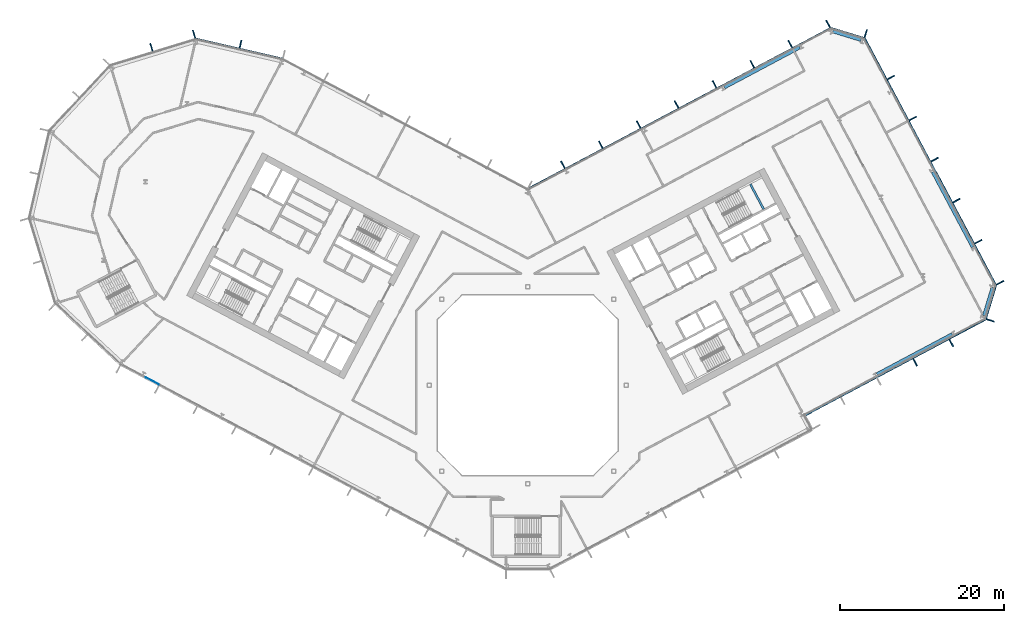
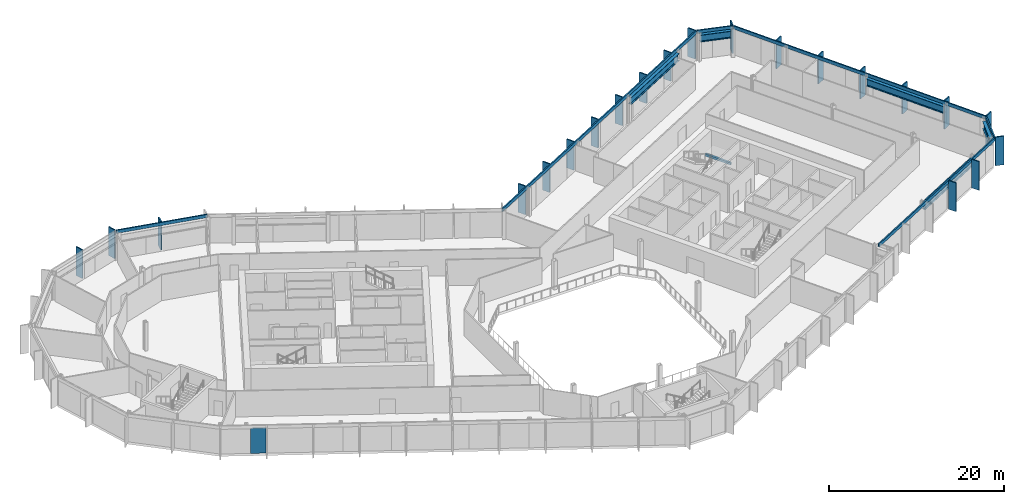
# One storey, part 10 of 28: 27 members, 6 beams, 1 plate, 8 elements without a shape of their own.
"""IFC4 building model written with IfcOpenShell, lengths in metres."""

from ifc_helpers import new_model, si_unit, direction, frame, origin, origin_2d, place, context, subcontext, project, spatial, rectangle, i_section, extrude, material, layer, layer_set, material_profile, profile_set, type_object, element, aggregate, save


model = new_model("IFC4")

# Units and contexts
model_context = context("Model", 3, precision=1e-05, world=origin(), true_north=direction((0.0, 1.0)))
body_context = subcontext(model_context, "Body", "Model", "MODEL_VIEW")
ifc_project = project(units=[si_unit("LENGTHUNIT", "METRE"), si_unit("AREAUNIT", "SQUARE_METRE"), si_unit("VOLUMEUNIT", "CUBIC_METRE"), si_unit("PLANEANGLEUNIT", "RADIAN"), si_unit("MASSUNIT", "GRAM", prefix="KILO")], contexts=[model_context])

# Site, building, storey
site_placement = place(None, origin())
site = spatial("IfcSite", under=ifc_project, at=site_placement, CompositionType="ELEMENT")
building_placement = place(site_placement, origin())
building = spatial("IfcBuilding", under=site, at=building_placement, Name="Cormorant Relay Tower", CompositionType="ELEMENT")
storey_placement = place(building_placement, frame((0.0, 0.0, 174.199951171875)))
storey = spatial("IfcBuildingStorey", under=building, at=storey_placement, Name="L37", CompositionType="ELEMENT", Elevation=174.199951171875)

# Curtain wall, members
ifc_material_1 = material(Name="Aluminium 6063-T6 anodised bronze", Category="aluminium")
ifc_layer_1 = layer(ifc_material_1, 0.199951171875)
ifc_layer_set_1 = layer_set([ifc_layer_1], Name="CW1 unitised bronze curtain wall with vertical fins")
curtain_wall_type = type_object("IfcCurtainWallType", Name="CW1 unitised bronze curtain wall with vertical fins", PredefinedType="NOTDEFINED", material=ifc_layer_set_1)
curtain_wall_1_placement = place(storey_placement, origin())
curtain_wall_1 = element("IfcCurtainWall", 1, at=curtain_wall_1_placement, inside=storey, type_object=curtain_wall_type, Name="CW1 curtain wall 4", PredefinedType="NOTDEFINED")
ifc_material_2 = material(Name="Aluminium 6063-T6 anodised bronze", Category="aluminium")
ifc_material_profile_1 = material_profile(ifc_material_2, rectangle(XDim=0.14990234375, YDim=1.0, at=origin_2d()), Name="AL 150x1000")
ifc_profile_set_1 = profile_set([ifc_material_profile_1], Name="Aluminium 6063-T6 anodised bronze")
member_type_1 = type_object("IfcMemberType", Name="CW1 bronze fin mullion 150 x 1000", PredefinedType="MULLION", material=ifc_profile_set_1)
member_1_placement = place(storey_placement, frame((47.21533203125, 2.793212890625, 0.0), z_axis=(0.0, 0.0, 1.0), x_axis=(0.882947592859, 0.469471562786, 0.0)))
member_1 = element("IfcMember", 2, at=member_1_placement, type_object=member_type_1, Name="CW1 fin 4.4", PredefinedType="MULLION", context=body_context, shape_type="SweptSolid", body=[
    extrude(rectangle(XDim=0.14990234375, YDim=1.0, at=origin_2d()), origin(), (0.0, 0.0, 1.0), 4.0),
])
member_2_placement = place(storey_placement, frame((51.630126953125, 5.140625, 0.0), z_axis=(0.0, 0.0, 1.0), x_axis=(0.882947592859, 0.469471562786, 0.0)))
member_2 = element("IfcMember", 3, at=member_2_placement, type_object=member_type_1, Name="CW1 fin 4.5", PredefinedType="MULLION", context=body_context, shape_type="SweptSolid", body=[
    extrude(rectangle(XDim=0.14990234375, YDim=1.0, at=origin_2d()), origin(), (0.0, 0.0, 1.0), 4.0),
])

# Curtain wall, member
curtain_wall_2_placement = place(storey_placement, origin())
curtain_wall_2 = element("IfcCurtainWall", 4, at=curtain_wall_2_placement, inside=storey, type_object=curtain_wall_type, Name="CW1 curtain wall 5", PredefinedType="NOTDEFINED")
member_3_placement = place(storey_placement, frame((56.385498046875, 7.9013671875, 0.0), z_axis=(0.0, 0.0, 1.0), x_axis=(0.292371704723, 0.956304755963, 0.0)))
member_3 = element("IfcMember", 5, at=member_3_placement, type_object=member_type_1, Name="CW1 fin 5.1", PredefinedType="MULLION", context=body_context, shape_type="SweptSolid", body=[
    extrude(rectangle(XDim=0.14990234375, YDim=1.0, at=origin_2d()), origin(), (0.0, 0.0, 1.0), 4.0),
])

# Curtain wall, members
curtain_wall_3_placement = place(storey_placement, origin())
curtain_wall_3 = element("IfcCurtainWall", 6, at=curtain_wall_3_placement, inside=storey, type_object=curtain_wall_type, Name="CW1 curtain wall 6", PredefinedType="NOTDEFINED")
member_4_placement = place(storey_placement, frame((57.57470703125, 12.491943359375, 0.0), z_axis=(0.0, 0.0, 1.0), x_axis=(-0.469471562786, 0.882947592859, 0.0)))
member_4 = element("IfcMember", 7, at=member_4_placement, type_object=member_type_1, Name="CW1 fin 6.1", PredefinedType="MULLION", context=body_context, shape_type="SweptSolid", body=[
    extrude(rectangle(XDim=0.14990234375, YDim=1.0, at=origin_2d()), origin(), (0.0, 0.0, 1.0), 4.0),
])
member_5_placement = place(storey_placement, frame((54.914306640625, 17.4951171875, 0.0), z_axis=(0.0, 0.0, 1.0), x_axis=(-0.469471562786, 0.882947592859, 0.0)))
member_5 = element("IfcMember", 8, at=member_5_placement, type_object=member_type_1, Name="CW1 fin 6.2", PredefinedType="MULLION", context=body_context, shape_type="SweptSolid", body=[
    extrude(rectangle(XDim=0.14990234375, YDim=1.0, at=origin_2d()), origin(), (0.0, 0.0, 1.0), 4.0),
])
member_6_placement = place(storey_placement, frame((52.25390625, 22.49853515625, 0.0), z_axis=(0.0, 0.0, 1.0), x_axis=(-0.469471562786, 0.882947592859, 0.0)))
member_6 = element("IfcMember", 9, at=member_6_placement, type_object=member_type_1, Name="CW1 fin 6.3", PredefinedType="MULLION", context=body_context, shape_type="SweptSolid", body=[
    extrude(rectangle(XDim=0.14990234375, YDim=1.0, at=origin_2d()), origin(), (0.0, 0.0, 1.0), 4.0),
])
member_7_placement = place(storey_placement, frame((49.59375, 27.501953125, 0.0), z_axis=(0.0, 0.0, 1.0), x_axis=(-0.469471562786, 0.882947592859, 0.0)))
member_7 = element("IfcMember", 10, at=member_7_placement, type_object=member_type_1, Name="CW1 fin 6.4", PredefinedType="MULLION", context=body_context, shape_type="SweptSolid", body=[
    extrude(rectangle(XDim=0.14990234375, YDim=1.0, at=origin_2d()), origin(), (0.0, 0.0, 1.0), 4.0),
])
member_8_placement = place(storey_placement, frame((46.933349609375, 32.50537109375, 0.0), z_axis=(0.0, 0.0, 1.0), x_axis=(-0.469471562786, 0.882947592859, 0.0)))
member_8 = element("IfcMember", 11, at=member_8_placement, type_object=member_type_1, Name="CW1 fin 6.5", PredefinedType="MULLION", context=body_context, shape_type="SweptSolid", body=[
    extrude(rectangle(XDim=0.14990234375, YDim=1.0, at=origin_2d()), origin(), (0.0, 0.0, 1.0), 4.0),
])
member_9_placement = place(storey_placement, frame((44.27294921875, 37.5087890625, 0.0), z_axis=(0.0, 0.0, 1.0), x_axis=(-0.469471562786, 0.882947592859, 0.0)))
member_9 = element("IfcMember", 12, at=member_9_placement, type_object=member_type_1, Name="CW1 fin 6.6", PredefinedType="MULLION", context=body_context, shape_type="SweptSolid", body=[
    extrude(rectangle(XDim=0.14990234375, YDim=1.0, at=origin_2d()), origin(), (0.0, 0.0, 1.0), 4.0),
])

# Curtain wall, member
curtain_wall_4_placement = place(storey_placement, origin())
curtain_wall_4 = element("IfcCurtainWall", 13, at=curtain_wall_4_placement, inside=storey, type_object=curtain_wall_type, Name="CW1 curtain wall 7", PredefinedType="NOTDEFINED")
member_10_placement = place(storey_placement, frame((41.19921875, 42.852783203125, 0.0), z_axis=(0.0, 0.0, 1.0), x_axis=(-0.956304755963, 0.292371704723, 0.0)))
member_10 = element("IfcMember", 14, at=member_10_placement, type_object=member_type_1, Name="CW1 fin 7.1", PredefinedType="MULLION", context=body_context, shape_type="SweptSolid", body=[
    extrude(rectangle(XDim=0.14990234375, YDim=1.0, at=origin_2d()), origin(), (0.0, 0.0, 1.0), 4.0),
])

# Curtain wall, members
curtain_wall_5_placement = place(storey_placement, origin())
curtain_wall_5 = element("IfcCurtainWall", 15, at=curtain_wall_5_placement, inside=storey, type_object=curtain_wall_type, Name="CW1 curtain wall 8", PredefinedType="NOTDEFINED")
member_11_placement = place(storey_placement, frame((36.608642578125, 44.0419921875, 0.0), z_axis=(0.0, 0.0, 1.0), x_axis=(-0.882947592859, -0.469471562786, 0.0)))
member_11 = element("IfcMember", 16, at=member_11_placement, type_object=member_type_1, Name="CW1 fin 8.1", PredefinedType="MULLION", context=body_context, shape_type="SweptSolid", body=[
    extrude(rectangle(XDim=0.14990234375, YDim=1.0, at=origin_2d()), origin(), (0.0, 0.0, 1.0), 4.0),
])
member_12_placement = place(storey_placement, frame((31.991455078125, 41.5869140625, 0.0), z_axis=(0.0, 0.0, 1.0), x_axis=(-0.882947592859, -0.469471562786, 0.0)))
member_12 = element("IfcMember", 17, at=member_12_placement, type_object=member_type_1, Name="CW1 fin 8.2", PredefinedType="MULLION", context=body_context, shape_type="SweptSolid", body=[
    extrude(rectangle(XDim=0.14990234375, YDim=1.0, at=origin_2d()), origin(), (0.0, 0.0, 1.0), 4.0),
])
member_13_placement = place(storey_placement, frame((27.37451171875, 39.132080078125, 0.0), z_axis=(0.0, 0.0, 1.0), x_axis=(-0.882947592859, -0.469471562786, 0.0)))
member_13 = element("IfcMember", 18, at=member_13_placement, type_object=member_type_1, Name="CW1 fin 8.3", PredefinedType="MULLION", context=body_context, shape_type="SweptSolid", body=[
    extrude(rectangle(XDim=0.14990234375, YDim=1.0, at=origin_2d()), origin(), (0.0, 0.0, 1.0), 4.0),
])
member_14_placement = place(storey_placement, frame((22.757080078125, 36.677001953125, 0.0), z_axis=(0.0, 0.0, 1.0), x_axis=(-0.882947592859, -0.469471562786, 0.0)))
member_14 = element("IfcMember", 19, at=member_14_placement, type_object=member_type_1, Name="CW1 fin 8.4", PredefinedType="MULLION", context=body_context, shape_type="SweptSolid", body=[
    extrude(rectangle(XDim=0.14990234375, YDim=1.0, at=origin_2d()), origin(), (0.0, 0.0, 1.0), 4.0),
])
member_15_placement = place(storey_placement, frame((18.139892578125, 34.221923828125, 0.0), z_axis=(0.0, 0.0, 1.0), x_axis=(-0.882947592859, -0.469471562786, 0.0)))
member_15 = element("IfcMember", 20, at=member_15_placement, type_object=member_type_1, Name="CW1 fin 8.5", PredefinedType="MULLION", context=body_context, shape_type="SweptSolid", body=[
    extrude(rectangle(XDim=0.14990234375, YDim=1.0, at=origin_2d()), origin(), (0.0, 0.0, 1.0), 4.0),
])
member_16_placement = place(storey_placement, frame((13.52294921875, 31.76708984375, 0.0), z_axis=(0.0, 0.0, 1.0), x_axis=(-0.882947592859, -0.469471562786, 0.0)))
member_16 = element("IfcMember", 21, at=member_16_placement, type_object=member_type_1, Name="CW1 fin 8.6", PredefinedType="MULLION", context=body_context, shape_type="SweptSolid", body=[
    extrude(rectangle(XDim=0.14990234375, YDim=1.0, at=origin_2d()), origin(), (0.0, 0.0, 1.0), 4.0),
])
member_17_placement = place(storey_placement, frame((8.90576171875, 29.31201171875, 0.0), z_axis=(0.0, 0.0, 1.0), x_axis=(-0.882947592859, -0.469471562786, 0.0)))
member_17 = element("IfcMember", 22, at=member_17_placement, type_object=member_type_1, Name="CW1 fin 8.7", PredefinedType="MULLION", context=body_context, shape_type="SweptSolid", body=[
    extrude(rectangle(XDim=0.14990234375, YDim=1.0, at=origin_2d()), origin(), (0.0, 0.0, 1.0), 4.0),
])
member_18_placement = place(storey_placement, frame((4.28857421875, 26.85693359375, 0.0), z_axis=(0.0, 0.0, 1.0), x_axis=(-0.882947592859, -0.469471562786, 0.0)))
member_18 = element("IfcMember", 23, at=member_18_placement, type_object=member_type_1, Name="CW1 fin 8.8", PredefinedType="MULLION", context=body_context, shape_type="SweptSolid", body=[
    extrude(rectangle(XDim=0.14990234375, YDim=1.0, at=origin_2d()), origin(), (0.0, 0.0, 1.0), 4.0),
])

# Curtain wall, member
curtain_wall_6_placement = place(storey_placement, origin())
curtain_wall_6 = element("IfcCurtainWall", 24, at=curtain_wall_6_placement, inside=storey, type_object=curtain_wall_type, Name="CW1 curtain wall 10", PredefinedType="NOTDEFINED")
member_19_placement = place(storey_placement, frame((-35.01220703125, 41.57275390625, 0.0), z_axis=(0.0, 0.0, 1.0), x_axis=(-0.974370064785, 0.224951054344, 0.0)))
member_19 = element("IfcMember", 25, at=member_19_placement, type_object=member_type_1, Name="CW1 fin 10.2", PredefinedType="MULLION", context=body_context, shape_type="SweptSolid", body=[
    extrude(rectangle(XDim=0.14990234375, YDim=1.0, at=origin_2d()), origin(), (0.0, 0.0, 1.0), 4.0),
])

# Curtain wall, members
curtain_wall_7_placement = place(storey_placement, origin())
curtain_wall_7 = element("IfcCurtainWall", 26, at=curtain_wall_7_placement, inside=storey, type_object=curtain_wall_type, Name="CW1 curtain wall 11", PredefinedType="NOTDEFINED")
member_20_placement = place(storey_placement, frame((-40.670166015625, 42.78271484375, 0.0), z_axis=(0.0, 0.0, 1.0), x_axis=(-0.956304755963, -0.292371704723, 0.0)))
member_20 = element("IfcMember", 27, at=member_20_placement, type_object=member_type_1, Name="CW1 fin 11.1", PredefinedType="MULLION", context=body_context, shape_type="SweptSolid", body=[
    extrude(rectangle(XDim=0.14990234375, YDim=1.0, at=origin_2d()), origin(), (0.0, 0.0, 1.0), 4.0),
])
member_21_placement = place(storey_placement, frame((-45.867919921875, 41.193603515625, 0.0), z_axis=(0.0, 0.0, 1.0), x_axis=(-0.956304755963, -0.292371704723, 0.0)))
member_21 = element("IfcMember", 28, at=member_21_placement, type_object=member_type_1, Name="CW1 fin 11.2", PredefinedType="MULLION", context=body_context, shape_type="SweptSolid", body=[
    extrude(rectangle(XDim=0.14990234375, YDim=1.0, at=origin_2d()), origin(), (0.0, 0.0, 1.0), 4.0),
])
aggregate(curtain_wall_7, [member_20, member_21])

# Member
ifc_material_3 = material(Name="Aluminium 6063-T6 anodised bronze", Category="aluminium")
ifc_material_profile_2 = material_profile(ifc_material_3, rectangle(XDim=0.159912109375, YDim=0.449951171875, at=origin_2d()), Name="AL 160x450")
ifc_profile_set_2 = profile_set([ifc_material_profile_2], Name="Aluminium 6063-T6 anodised bronze")
member_type_2 = type_object("IfcMemberType", Name="CW1 bronze transom 160 x 450", PredefinedType="USERDEFINED", material=ifc_profile_set_2)
member_22_placement = place(storey_placement, frame((33.69873046875, -3.73681640625, 3.775146484375), z_axis=(0.88294749795, 0.469471741284, 0.0), x_axis=(-0.469471741284, 0.88294749795, 0.0)))
member_22 = element("IfcMember", 29, at=member_22_placement, type_object=member_type_2, Name="CW1 transom 4", ObjectType="TRANSOM", PredefinedType="USERDEFINED", context=body_context, shape_type="SweptSolid", body=[
    extrude(rectangle(XDim=0.159912109375, YDim=0.449951171875, at=origin_2d()), origin(), (0.0, 0.0, 1.0), 25.0),
])

aggregate(curtain_wall_1, [member_1, member_2, member_22])

member_23_placement = place(storey_placement, frame((55.830810546875, 8.07080078125, 3.775146484375), z_axis=(0.292374957137, 0.956303761594, 0.0), x_axis=(-0.956303761594, 0.292374957137, 0.0)))
member_23 = element("IfcMember", 30, at=member_23_placement, type_object=member_type_2, Name="CW1 transom 5", ObjectType="TRANSOM", PredefinedType="USERDEFINED", context=body_context, shape_type="SweptSolid", body=[
    extrude(rectangle(XDim=0.159912109375, YDim=0.449951171875, at=origin_2d()), origin(), (0.0, 0.0, 1.0), 4.24267578125),
])

aggregate(curtain_wall_2, [member_3, member_23])

member_24_placement = place(storey_placement, frame((57.0625, 12.219482421875, 3.775146484375), z_axis=(-0.469468277635, 0.882949339597, 0.0), x_axis=(-0.882949339597, -0.469468277635, 0.0)))
member_24 = element("IfcMember", 31, at=member_24_placement, type_object=member_type_2, Name="CW1 transom 6", ObjectType="TRANSOM", PredefinedType="USERDEFINED", context=body_context, shape_type="SweptSolid", body=[
    extrude(rectangle(XDim=0.159912109375, YDim=0.449951171875, at=origin_2d()), origin(), (0.0, 0.0, 1.0), 34.0),
])

aggregate(curtain_wall_3, [member_4, member_5, member_6, member_7, member_8, member_9, member_24])

member_25_placement = place(storey_placement, frame((41.02978515625, 42.298095703125, 3.775146484375), z_axis=(-0.956303761594, 0.292374957137, 0.0), x_axis=(-0.292374957137, -0.956303761594, 0.0)))
member_25 = element("IfcMember", 32, at=member_25_placement, type_object=member_type_2, Name="CW1 transom 7", ObjectType="TRANSOM", PredefinedType="USERDEFINED", context=body_context, shape_type="SweptSolid", body=[
    extrude(rectangle(XDim=0.159912109375, YDim=0.449951171875, at=origin_2d()), origin(), (0.0, 0.0, 1.0), 4.24267578125),
])

aggregate(curtain_wall_4, [member_10, member_25])

member_26_placement = place(storey_placement, frame((36.881103515625, 43.52978515625, 3.775146484375), z_axis=(-0.88294882701, -0.469469241677, 0.0), x_axis=(0.469469241677, -0.88294882701, 0.0)))
member_26 = element("IfcMember", 33, at=member_26_placement, type_object=member_type_2, Name="CW1 transom 8", ObjectType="TRANSOM", PredefinedType="USERDEFINED", context=body_context, shape_type="SweptSolid", body=[
    extrude(rectangle(XDim=0.159912109375, YDim=0.449951171875, at=origin_2d()), origin(), (0.0, 0.0, 1.0), 41.834228515625),
])

aggregate(curtain_wall_5, [member_11, member_12, member_13, member_14, member_15, member_16, member_17, member_18, member_26])

member_27_placement = place(storey_placement, frame((-29.8466796875, 39.784912109375, 3.775146484375), z_axis=(-0.974365070969, 0.224972683844, 0.0), x_axis=(-0.224972683844, -0.974365070969, 0.0)))
member_27 = element("IfcMember", 34, at=member_27_placement, type_object=member_type_2, Name="CW1 transom 10", ObjectType="TRANSOM", PredefinedType="USERDEFINED", context=body_context, shape_type="SweptSolid", body=[
    extrude(rectangle(XDim=0.159912109375, YDim=0.449951171875, at=origin_2d()), origin(), (0.0, 0.0, 1.0), 10.870361328125),
])

aggregate(curtain_wall_6, [member_19, member_27])

# Beams
ifc_material_4 = material(Name="Steel ASTM A992 (Fy 345 MPa)", Category="steel")
ifc_material_profile_3 = material_profile(ifc_material_4, i_section(OverallWidth=0.4013671875, OverallDepth=1.000732421875, WebThickness=0.01904296875, FlangeThickness=0.0361328125, FilletRadius=0.02978515625, at=origin_2d()), Name="W1000x371")
ifc_profile_set_3 = profile_set([ifc_material_profile_3], Name="Steel ASTM A992 (Fy 345 MPa)")
beam_type_1 = type_object("IfcBeamType", Name="Spandrel W1000x371", PredefinedType="SPANDREL", material=ifc_profile_set_3)
beam_1_placement = place(storey_placement, frame((42.5595703125, 1.337890625, 3.099609375), z_axis=(0.882955922346, 0.469455896963, 0.0), x_axis=(-0.469455896963, 0.882955922346, 0.0)))
element("IfcBeam", 35, at=beam_1_placement, inside=storey, type_object=beam_type_1, Name="Spandrel beam L37-004", PredefinedType="SPANDREL", context=body_context, shape_type="SweptSolid", body=[
    extrude(i_section(OverallWidth=0.4013671875, OverallDepth=1.000732421875, WebThickness=0.01904296875, FlangeThickness=0.0361328125, FilletRadius=0.02978515625, at=origin_2d()), origin(), (0.0, 0.0, 1.0), 10.388427734375),
])
beam_2_placement = place(storey_placement, frame((55.62548828125, 8.495849609375, 3.099609375), z_axis=(0.29237248799, 0.956304516494, 0.0), x_axis=(-0.956304516494, 0.29237248799, 0.0)))
element("IfcBeam", 36, at=beam_2_placement, inside=storey, type_object=beam_type_1, Name="Spandrel beam L37-005", PredefinedType="SPANDREL", context=body_context, shape_type="SweptSolid", body=[
    extrude(i_section(OverallWidth=0.4013671875, OverallDepth=1.000732421875, WebThickness=0.01904296875, FlangeThickness=0.0361328125, FilletRadius=0.02978515625, at=origin_2d()), origin(), (0.0, 0.0, 1.0), 3.585693359375),
])
beam_3_placement = place(storey_placement, frame((54.24169921875, 16.841796875, 3.099609375), z_axis=(-0.469474218299, 0.882946180893, 0.0), x_axis=(-0.882946180893, -0.469474218299, 0.0)))
element("IfcBeam", 37, at=beam_3_placement, inside=storey, type_object=beam_type_1, Name="Spandrel beam L37-006", PredefinedType="SPANDREL", context=body_context, shape_type="SweptSolid", body=[
    extrude(i_section(OverallWidth=0.4013671875, OverallDepth=1.000732421875, WebThickness=0.01904296875, FlangeThickness=0.0361328125, FilletRadius=0.02978515625, at=origin_2d()), origin(), (0.0, 0.0, 1.0), 10.388671875),
])
beam_4_placement = place(storey_placement, frame((40.605224609375, 42.0927734375, 3.099609375), z_axis=(-0.956311914022, 0.292348290742, 0.0), x_axis=(-0.292348290742, -0.956311914022, 0.0)))
element("IfcBeam", 38, at=beam_4_placement, inside=storey, type_object=beam_type_1, Name="Spandrel beam L37-007", PredefinedType="SPANDREL", context=body_context, shape_type="SweptSolid", body=[
    extrude(i_section(OverallWidth=0.4013671875, OverallDepth=1.000732421875, WebThickness=0.01904296875, FlangeThickness=0.0361328125, FilletRadius=0.02978515625, at=origin_2d()), origin(), (0.0, 0.0, 1.0), 3.585205078125),
])
beam_5_placement = place(storey_placement, frame((33.141357421875, 41.17822265625, 3.099609375), z_axis=(-0.882955922346, -0.469455896963, 0.0), x_axis=(0.469455896963, -0.882955922346, 0.0)))
element("IfcBeam", 39, at=beam_5_placement, inside=storey, type_object=beam_type_1, Name="Spandrel beam L37-008", PredefinedType="SPANDREL", context=body_context, shape_type="SweptSolid", body=[
    extrude(i_section(OverallWidth=0.4013671875, OverallDepth=1.000732421875, WebThickness=0.01904296875, FlangeThickness=0.0361328125, FilletRadius=0.02978515625, at=origin_2d()), origin(), (0.0, 0.0, 1.0), 10.388427734375),
])
ifc_material_5 = material(Name="Concrete 50 MPa", Category="concrete")
ifc_material_profile_4 = material_profile(ifc_material_5, rectangle(XDim=0.25, YDim=0.300048828125, at=origin_2d()), Name="RC 250x300")
ifc_profile_set_4 = profile_set([ifc_material_profile_4], Name="Concrete 50 MPa")
beam_type_2 = type_object("IfcBeamType", Name="Stair landing ledge beam 250x300", PredefinedType="BEAM", material=ifc_profile_set_4)
beam_6_placement = place(storey_placement, frame((28.755126953125, 21.4619140625, 1.650146484375), z_axis=(-0.469463917486, 0.882951657895, 0.0), x_axis=(-0.882951657895, -0.469463917486, 0.0)))
element("IfcBeam", 40, at=beam_6_placement, inside=storey, type_object=beam_type_2, Name="B2 landing ledge beam", PredefinedType="BEAM", context=body_context, shape_type="SweptSolid", body=[
    extrude(rectangle(XDim=0.25, YDim=0.300048828125, at=origin_2d()), origin(), (0.0, 0.0, 1.0), 3.449951171875),
])

# Curtain wall, plate
curtain_wall_8_placement = place(storey_placement, origin())
curtain_wall_8 = element("IfcCurtainWall", 41, at=curtain_wall_8_placement, inside=storey, type_object=curtain_wall_type, Name="CW1 curtain wall 16", PredefinedType="NOTDEFINED")
ifc_material_6 = material(Name="Tinted laminated glass", Category="glass")
ifc_layer_2 = layer(ifc_material_6, 0.0400390625)
ifc_layer_set_2 = layer_set([ifc_layer_2], Name="CW1 tinted vision panel 1800 module")
plate_type = type_object("IfcPlateType", Name="CW1 tinted vision panel 1800 module", PredefinedType="CURTAIN_PANEL", material=ifc_layer_set_2)
plate_placement = place(storey_placement, frame((-45.767578125, 0.5283203125, 0.0), z_axis=(0.0, 0.0, 1.0), x_axis=(0.882947592859, -0.469471562786, 0.0)))
plate = element("IfcPlate", 42, at=plate_placement, type_object=plate_type, Name="CW1 panel V01", PredefinedType="CURTAIN_PANEL", context=body_context, shape_type="SweptSolid", body=[
    extrude(rectangle(XDim=1.800048828125, YDim=0.0400390625, at=origin_2d()), origin(), (0.0, 0.0, 1.0), 3.550048828125),
])
aggregate(curtain_wall_8, [plate])

save(model, "model.ifc")
